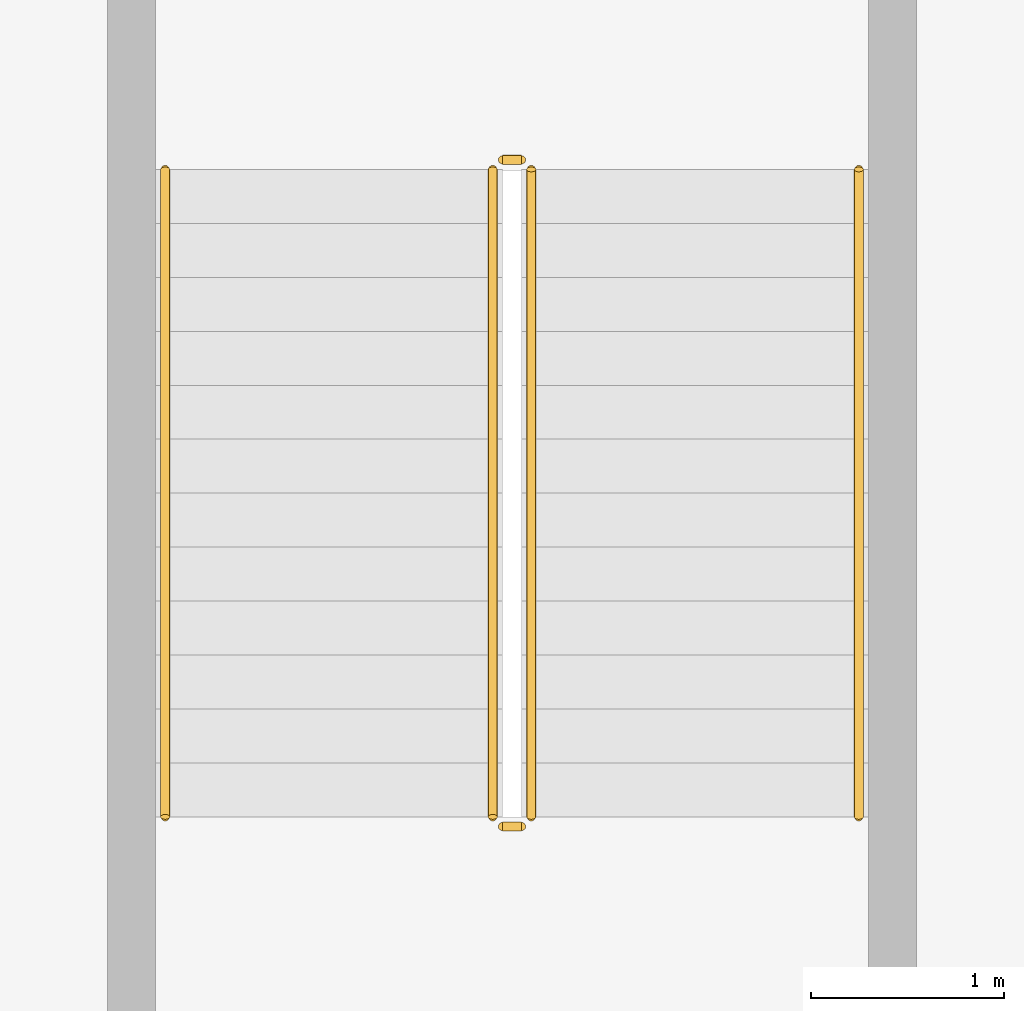
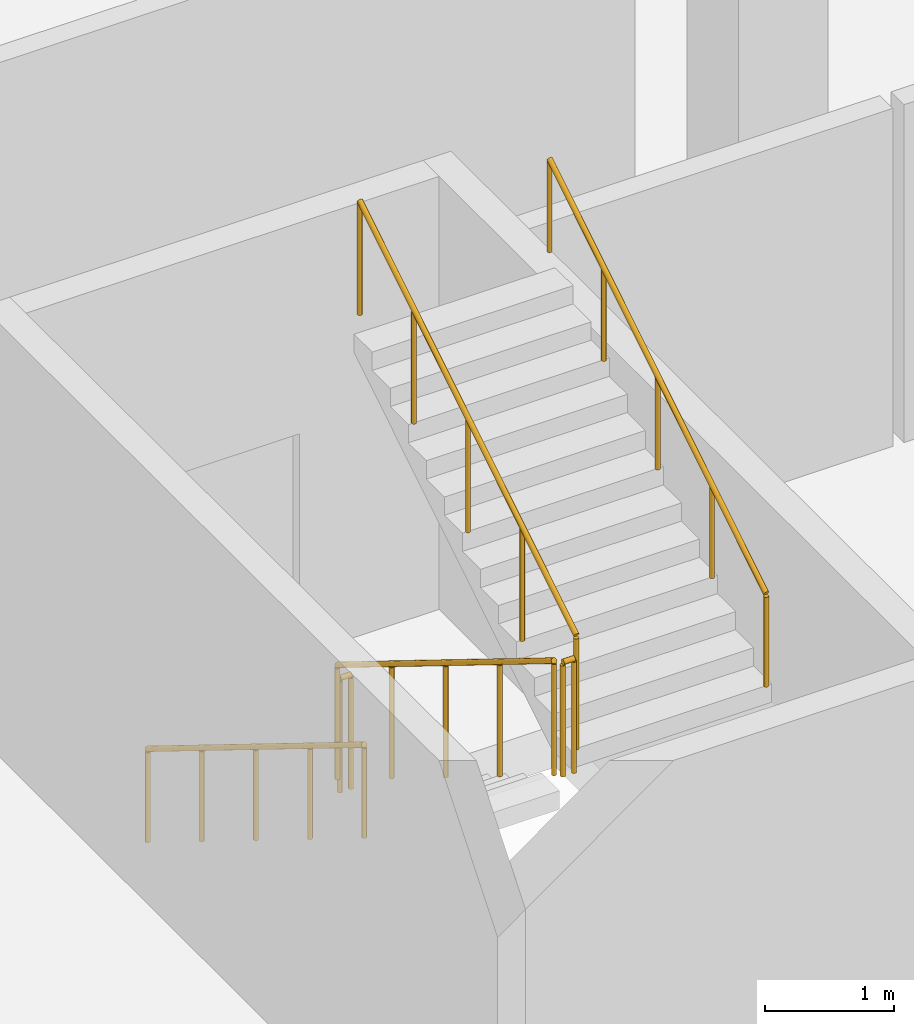
# One storey, part 31 of 38: 6 railings.
"""IFC4 building model written with IfcOpenShell, lengths in metres."""

from ifc_helpers import new_model, si_unit, direction, frame, origin, origin_2d, place, context, subcontext, project, spatial, circle, extrude, material, type_object, element, save


model = new_model("IFC4")

# Units and contexts
model_context = context("Model", 3, precision=1e-05, world=origin(), true_north=direction((0.0, 1.0)))
body_context = subcontext(model_context, "Body", "Model", "MODEL_VIEW")
ifc_project = project(units=[si_unit("LENGTHUNIT", "METRE"), si_unit("AREAUNIT", "SQUARE_METRE"), si_unit("VOLUMEUNIT", "CUBIC_METRE"), si_unit("PLANEANGLEUNIT", "RADIAN"), si_unit("MASSUNIT", "GRAM", prefix="KILO")], contexts=[model_context])

# Site, building, storey
site_placement = place(None, origin())
site = spatial("IfcSite", under=ifc_project, at=site_placement, CompositionType="ELEMENT")
building_placement = place(site_placement, origin())
building = spatial("IfcBuilding", under=site, at=building_placement, Name="Kilnfold Tower and Market Hall", CompositionType="ELEMENT")
storey_placement = place(building_placement, frame((0.0, 0.0, 9.0)))
storey = spatial("IfcBuildingStorey", under=building, at=storey_placement, Name="L01", CompositionType="ELEMENT", Elevation=9.0)

# Railings
ifc_material_1 = material(Name="Steel S355", Category="steel")
railing_type_1 = type_object("IfcRailingType", Name="HALL STAIR GUARD 1100", PredefinedType="GUARDRAIL", material=ifc_material_1)
railing_1_placement = place(storey_placement, frame((-48.75, -34.699951171875, 0.173095703125)))
element("IfcRailing", 1, at=railing_1_placement, inside=storey, type_object=railing_type_1, Name="L01 MS1 stair guard 1", PredefinedType="GUARDRAIL", context=body_context, shape_type="SweptSolid", body=[
    extrude(circle(Radius=0.02392578125, at=origin_2d()), frame((0.0, 0.0, 1.076171875), z_axis=(0.0, -0.850623216509, 0.525775754039), x_axis=(1.0, 0.0, 0.0)), (0.0, 0.0, 1.0), 3.9501953125),
    extrude(circle(Radius=0.02099609375, at=origin_2d()), origin(), (0.0, 0.0, 1.0), 1.052001953125),
    extrude(circle(Radius=0.02099609375, at=origin_2d()), frame((0.0, -0.840087890625, 0.519287109375)), (0.0, 0.0, 1.0), 1.052001953125),
    extrude(circle(Radius=0.02099609375, at=origin_2d()), frame((0.0, -1.68017578125, 1.03857421875)), (0.0, 0.0, 1.0), 1.052001953125),
    extrude(circle(Radius=0.02099609375, at=origin_2d()), frame((0.0, -2.52001953125, 1.5576171875)), (0.0, 0.0, 1.0), 1.052001953125),
    extrude(circle(Radius=0.02099609375, at=origin_2d()), frame((0.0, -3.360107421875, 2.076904296875)), (0.0, 0.0, 1.0), 1.052001953125),
])
railing_2_placement = place(storey_placement, frame((-48.699951171875, -38.110107421875, 2.25)))
element("IfcRailing", 2, at=railing_2_placement, inside=storey, type_object=railing_type_1, Name="L01 MS1 stair guard 2", PredefinedType="GUARDRAIL", context=body_context, shape_type="SweptSolid", body=[
    extrude(circle(Radius=0.02392578125, at=origin_2d()), frame((0.0, 0.0, 1.076171875), z_axis=(1.0, 0.0, 0.0), x_axis=(0.0, 1.0, 0.0)), (0.0, 0.0, 1.0), 0.099853515625),
    extrude(circle(Radius=0.02099609375, at=origin_2d()), origin(), (0.0, 0.0, 1.0), 1.052001953125),
    extrude(circle(Radius=0.02099609375, at=origin_2d()), frame((0.099853515625, 0.0, 0.0)), (0.0, 0.0, 1.0), 1.052001953125),
])
railing_3_placement = place(storey_placement, frame((-48.550048828125, -38.06005859375, 2.423095703125)))
element("IfcRailing", 3, at=railing_3_placement, inside=storey, type_object=railing_type_1, Name="L01 MS1 stair guard 3", PredefinedType="GUARDRAIL", context=body_context, shape_type="SweptSolid", body=[
    extrude(circle(Radius=0.02392578125, at=origin_2d()), frame((0.0, 0.0, 1.076171875), z_axis=(0.0, 0.850623216509, 0.525775754039), x_axis=(-1.0, 0.0, 0.0)), (0.0, 0.0, 1.0), 3.9501953125),
    extrude(circle(Radius=0.02099609375, at=origin_2d()), origin(), (0.0, 0.0, 1.0), 1.052001953125),
    extrude(circle(Radius=0.02099609375, at=origin_2d()), frame((0.0, 0.840087890625, 0.519287109375)), (0.0, 0.0, 1.0), 1.052001953125),
    extrude(circle(Radius=0.02099609375, at=origin_2d()), frame((0.0, 1.68017578125, 1.03857421875)), (0.0, 0.0, 1.0), 1.052001953125),
    extrude(circle(Radius=0.02099609375, at=origin_2d()), frame((0.0, 2.52001953125, 1.5576171875)), (0.0, 0.0, 1.0), 1.052001953125),
    extrude(circle(Radius=0.02099609375, at=origin_2d()), frame((0.0, 3.360107421875, 2.076904296875)), (0.0, 0.0, 1.0), 1.052001953125),
])
railing_4_placement = place(storey_placement, frame((-48.699951171875, -34.64990234375, 0.0)))
element("IfcRailing", 4, at=railing_4_placement, inside=storey, type_object=railing_type_1, Name="L01 MS1 stair guard 4", PredefinedType="GUARDRAIL", context=body_context, shape_type="SweptSolid", body=[
    extrude(circle(Radius=0.02392578125, at=origin_2d()), frame((0.0, 0.0, 1.076171875), z_axis=(1.0, 0.0, 0.0), x_axis=(0.0, 1.0, 0.0)), (0.0, 0.0, 1.0), 0.099853515625),
    extrude(circle(Radius=0.02099609375, at=origin_2d()), origin(), (0.0, 0.0, 1.0), 1.052001953125),
    extrude(circle(Radius=0.02099609375, at=origin_2d()), frame((0.099853515625, 0.0, 0.0)), (0.0, 0.0, 1.0), 1.052001953125),
])
ifc_material_2 = material(Name="Steel S355", Category="steel")
railing_type_2 = type_object("IfcRailingType", Name="HALL STAIR HANDRAIL", PredefinedType="HANDRAIL", material=ifc_material_2)
railing_5_placement = place(storey_placement, frame((-50.449951171875, -34.699951171875, 0.173095703125)))
element("IfcRailing", 5, at=railing_5_placement, inside=storey, type_object=railing_type_2, Name="L01 MS1 stair handrail 1", PredefinedType="HANDRAIL", context=body_context, shape_type="SweptSolid", body=[
    extrude(circle(Radius=0.02392578125, at=origin_2d()), frame((0.0, 0.0, 0.8759765625), z_axis=(0.0, -0.850623216509, 0.525775754039), x_axis=(1.0, 0.0, 0.0)), (0.0, 0.0, 1.0), 3.9501953125),
    extrude(circle(Radius=0.02099609375, at=origin_2d()), origin(), (0.0, 0.0, 1.0), 0.851806640625),
    extrude(circle(Radius=0.02099609375, at=origin_2d()), frame((0.0, -0.840087890625, 0.519287109375)), (0.0, 0.0, 1.0), 0.851806640625),
    extrude(circle(Radius=0.02099609375, at=origin_2d()), frame((0.0, -1.68017578125, 1.03857421875)), (0.0, 0.0, 1.0), 0.851806640625),
    extrude(circle(Radius=0.02099609375, at=origin_2d()), frame((0.0, -2.52001953125, 1.5576171875)), (0.0, 0.0, 1.0), 0.851806640625),
    extrude(circle(Radius=0.02099609375, at=origin_2d()), frame((0.0, -3.360107421875, 2.076904296875)), (0.0, 0.0, 1.0), 0.851806640625),
])
railing_6_placement = place(storey_placement, frame((-46.85009765625, -38.06005859375, 2.423095703125)))
element("IfcRailing", 6, at=railing_6_placement, inside=storey, type_object=railing_type_2, Name="L01 MS1 stair handrail 2", PredefinedType="HANDRAIL", context=body_context, shape_type="SweptSolid", body=[
    extrude(circle(Radius=0.02392578125, at=origin_2d()), frame((0.0, 0.0, 0.8759765625), z_axis=(0.0, 0.850623216509, 0.525775754039), x_axis=(-1.0, 0.0, 0.0)), (0.0, 0.0, 1.0), 3.9501953125),
    extrude(circle(Radius=0.02099609375, at=origin_2d()), origin(), (0.0, 0.0, 1.0), 0.851806640625),
    extrude(circle(Radius=0.02099609375, at=origin_2d()), frame((0.0, 0.840087890625, 0.519287109375)), (0.0, 0.0, 1.0), 0.851806640625),
    extrude(circle(Radius=0.02099609375, at=origin_2d()), frame((0.0, 1.68017578125, 1.03857421875)), (0.0, 0.0, 1.0), 0.851806640625),
    extrude(circle(Radius=0.02099609375, at=origin_2d()), frame((0.0, 2.52001953125, 1.5576171875)), (0.0, 0.0, 1.0), 0.851806640625),
    extrude(circle(Radius=0.02099609375, at=origin_2d()), frame((0.0, 3.360107421875, 2.076904296875)), (0.0, 0.0, 1.0), 0.851806640625),
])

save(model, "model.ifc")
